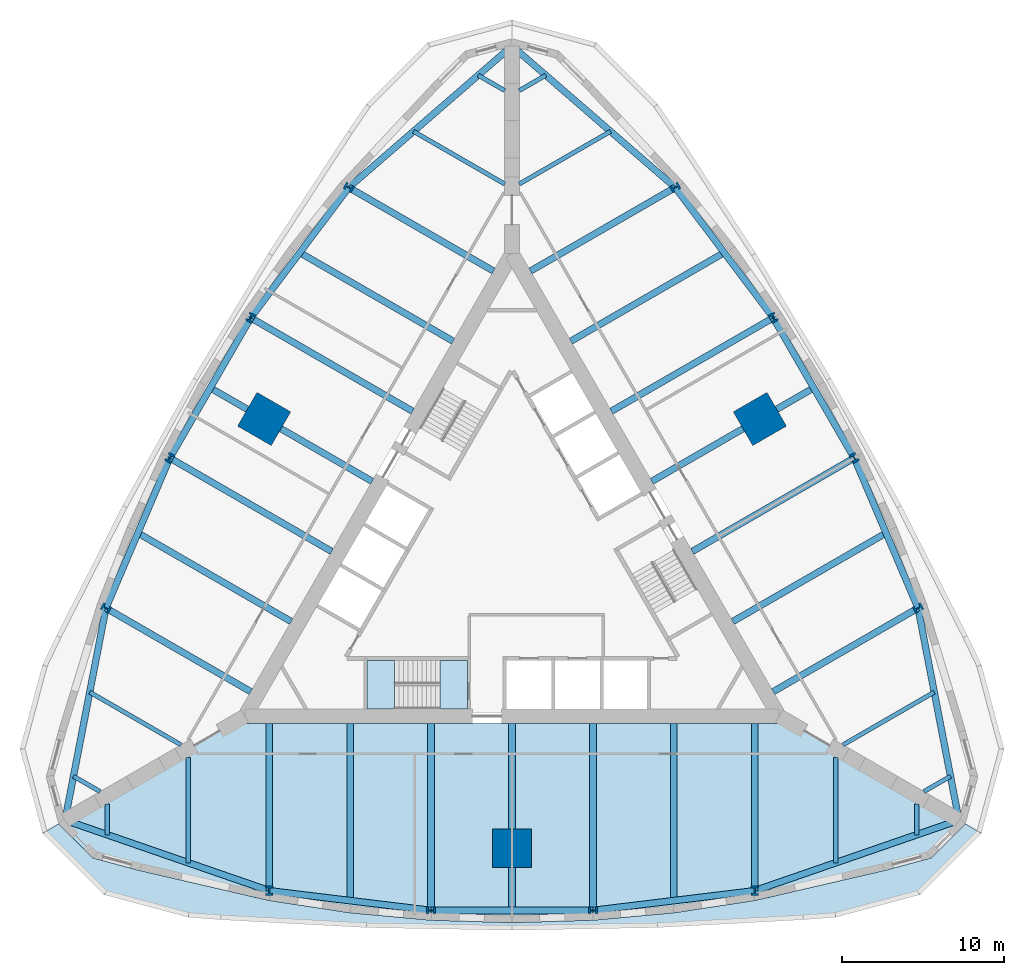
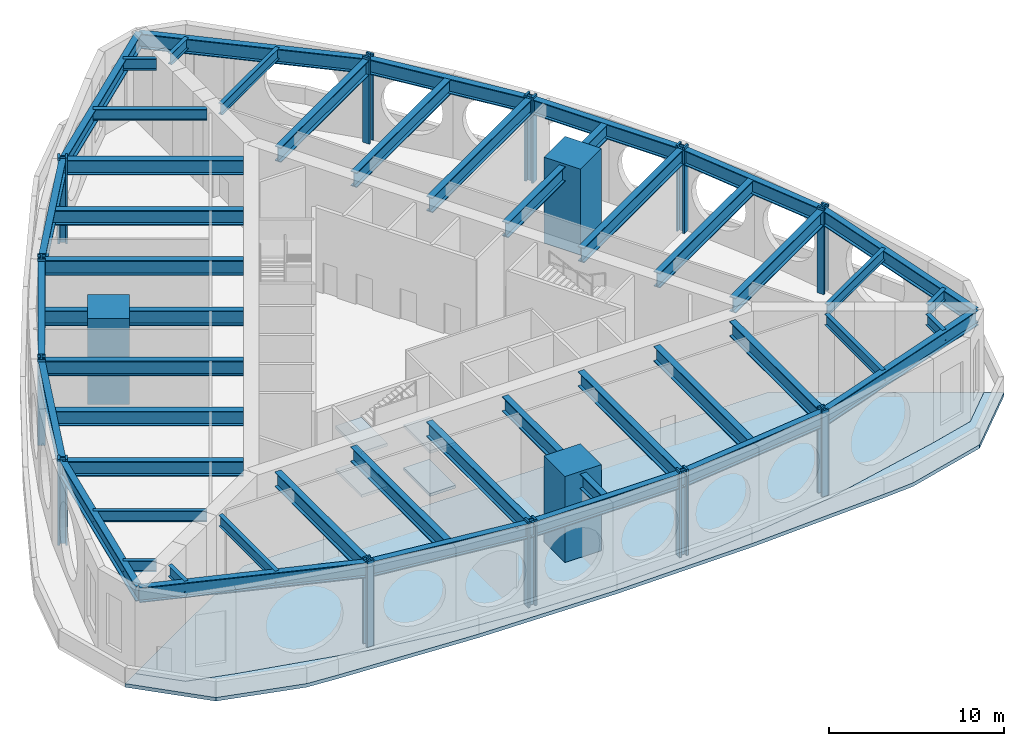
# One storey, part 1 of 8: 48 beams, 15 columns, 6 slabs, 1 element without a shape of its own.
"""IFC4 building model written with IfcOpenShell, lengths in metres."""

from ifc_helpers import new_model, si_unit, direction, frame, origin, origin_2d, place, context, subcontext, project, spatial, polyline, rectangle, i_section, outline, extrude, material, layer, layer_set, material_profile, profile_set, type_object, element, aggregate, save


model = new_model("IFC4")

# Units and contexts
model_context = context("Model", 3, precision=1e-05, world=origin(), true_north=direction((0.0, 1.0)))
body_context = subcontext(model_context, "Body", "Model", "MODEL_VIEW")
ifc_project = project(units=[si_unit("LENGTHUNIT", "METRE"), si_unit("AREAUNIT", "SQUARE_METRE"), si_unit("VOLUMEUNIT", "CUBIC_METRE"), si_unit("PLANEANGLEUNIT", "RADIAN"), si_unit("MASSUNIT", "GRAM", prefix="KILO")], contexts=[model_context])

# Site, building, storey
site_placement = place(None, origin())
site = spatial("IfcSite", under=ifc_project, at=site_placement, CompositionType="ELEMENT")
building_placement = place(site_placement, origin())
building = spatial("IfcBuilding", under=site, at=building_placement, Name="Trikona Tower", CompositionType="ELEMENT")
storey_placement = place(building_placement, frame((0.0, 0.0, 22.5)))
storey = spatial("IfcBuildingStorey", under=building, at=storey_placement, Name="L04", CompositionType="ELEMENT", Elevation=22.5)

# Columns
ifc_material_1 = material(Name="Concrete f'c 10000 psi with encased steel section", Category="concrete")
ifc_material_profile_1 = material_profile(ifc_material_1, rectangle(XDim=2.39990234375, YDim=2.39990234375, at=origin_2d()), Name="MC2400")
ifc_profile_set_1 = profile_set([ifc_material_profile_1], Name="Concrete f'c 10000 psi with encased steel section")
column_type_1 = type_object("IfcColumnType", Name="Composite mega column 2400x2400", PredefinedType="COLUMN", material=ifc_profile_set_1)
for number, where, z_axis, x_axis, name in (
    (1, (0.0, -17.680419921875, 0.0), (0.0, 0.0, 1.0), (0.0, -1.0, 0.0), "Mega column MC1"),
    (2, (15.311767578125, 8.84033203125, 0.0), (0.0, 0.0, 1.0), (0.866025403784, 0.5, 0.0), "Mega column MC2"),
    (3, (-15.311767578125, 8.84033203125, 0.0), (0.0, 0.0, 1.0), (-0.866025403784, 0.5, 0.0), "Mega column MC3"),
):
    element("IfcColumn", number, at=place(storey_placement, frame(where, z_axis=z_axis, x_axis=x_axis)), inside=storey, type_object=column_type_1, Name=name, PredefinedType="COLUMN", context=body_context, shape_type="SweptSolid", body=[
        extrude(rectangle(XDim=2.39990234375, YDim=2.39990234375, at=origin_2d()), origin(), (0.0, 0.0, 1.0), 6.0),
    ])
ifc_material_2 = material(Name="Steel ASTM A992 Grade 50", Category="steel")
ifc_material_profile_2 = material_profile(ifc_material_2, i_section(OverallWidth=0.45458984375, OverallDepth=0.56884765625, WebThickness=0.077880859375, FlangeThickness=0.124755859375, at=origin_2d()), Name="W14X730")
ifc_profile_set_2 = profile_set([ifc_material_profile_2], Name="Steel ASTM A992 Grade 50")
column_type_2 = type_object("IfcColumnType", Name="Steel column W14x730", PredefinedType="COLUMN", material=ifc_profile_set_2)
for number, where, z_axis, x_axis, name in (
    (4, (-15.0, -20.302978515625, 0.0), (0.0, 0.0, 1.0), (1.0, 0.0, 0.0), "Column F0m15"),
    (5, (-5.0, -21.5205078125, 0.0), (0.0, 0.0, 1.0), (0.0, -1.0, 0.0), "Column F0m5"),
    (6, (5.0, -21.5205078125, 0.0), (0.0, 0.0, 1.0), (0.0, -1.0, 0.0), "Column F0p5"),
    (7, (15.0, -20.302978515625, 0.0), (0.0, 0.0, 1.0), (1.0, 0.0, 0.0), "Column F0p15"),
    (8, (25.0830078125, -2.8388671875, 0.0), (0.0, 0.0, 1.0), (-0.5, 0.866025403784, 0.0), "Column F1m15"),
    (9, (21.13720703125, 6.43017578125, 0.0), (0.0, 0.0, 1.0), (0.866025403784, 0.5, 0.0), "Column F1m5"),
    (10, (16.13720703125, 15.09033203125, 0.0), (0.0, 0.0, 1.0), (0.866025403784, 0.5, 0.0), "Column F1p5"),
    (11, (10.0830078125, 23.141845703125, 0.0), (0.0, 0.0, 1.0), (-0.5, 0.866025403784, 0.0), "Column F1p15"),
    (12, (-10.0830078125, 23.141845703125, 0.0), (0.0, 0.0, 1.0), (-0.5, -0.866025403784, 0.0), "Column F2m15"),
    (13, (-16.13720703125, 15.09033203125, 0.0), (0.0, 0.0, 1.0), (-0.866025403784, 0.5, 0.0), "Column F2m5"),
    (14, (-21.13720703125, 6.43017578125, 0.0), (0.0, 0.0, 1.0), (-0.866025403784, 0.5, 0.0), "Column F2p5"),
    (15, (-25.0830078125, -2.8388671875, 0.0), (0.0, 0.0, 1.0), (-0.5, -0.866025403784, 0.0), "Column F2p15"),
):
    element("IfcColumn", number, at=place(storey_placement, frame(where, z_axis=z_axis, x_axis=x_axis)), inside=storey, type_object=column_type_2, Name=name, PredefinedType="COLUMN", context=body_context, shape_type="SweptSolid", body=[
        extrude(i_section(OverallWidth=0.45458984375, OverallDepth=0.56884765625, WebThickness=0.077880859375, FlangeThickness=0.124755859375, at=origin_2d()), origin(), (0.0, 0.0, 1.0), 6.0),
    ])

# Beams
ifc_material_3 = material(Name="Steel ASTM A992 Grade 50", Category="steel")
ifc_material_profile_3 = material_profile(ifc_material_3, i_section(OverallWidth=0.2666015625, OverallDepth=0.76953125, WebThickness=0.015625, FlangeThickness=0.025390625, at=origin_2d()), Name="W30X132")
ifc_profile_set_3 = profile_set([ifc_material_profile_3], Name="Steel ASTM A992 Grade 50")
beam_type_1 = type_object("IfcBeamType", Name="Steel beam W30x132 (wedge)", PredefinedType="BEAM", material=ifc_profile_set_3)
beam_1_placement = place(storey_placement, frame((-25.0, -14.953369140625, 5.4501953125), z_axis=(0.0, -1.0, 0.0), x_axis=(1.0, 0.0, 0.0)))
element("IfcBeam", 16, at=beam_1_placement, inside=storey, type_object=beam_type_1, Name="Floor beam L05 F1 u-25", PredefinedType="BEAM", context=body_context, shape_type="SweptSolid", body=[
    extrude(i_section(OverallWidth=0.2666015625, OverallDepth=0.76953125, WebThickness=0.015625, FlangeThickness=0.025390625, at=origin_2d()), origin(), (0.0, 0.0, 1.0), 1.890380859375),
])
for number, where, z_axis, x_axis, name in (
    (17, (-20.0, -12.066650390625, 5.4501953125), (0.0, -1.0, 0.0), (1.0, 0.0, 0.0), "Floor beam L05 F1 u-20"),
    (18, (20.0, -12.066650390625, 5.4501953125), (0.0, -1.0, 0.0), (1.0, 0.0, 0.0), "Floor beam L05 F1 u20"),
):
    element("IfcBeam", number, at=place(storey_placement, frame(where, z_axis=z_axis, x_axis=x_axis)), inside=storey, type_object=beam_type_1, Name=name, PredefinedType="BEAM", context=body_context, shape_type="SweptSolid", body=[
        extrude(i_section(OverallWidth=0.2666015625, OverallDepth=0.76953125, WebThickness=0.015625, FlangeThickness=0.025390625, at=origin_2d()), origin(), (0.0, 0.0, 1.0), 6.5068359375),
    ])
for number, where, z_axis, x_axis, name in (
    (19, (25.0, -14.953369140625, 5.4501953125), (0.0, -1.0, 0.0), (1.0, 0.0, 0.0), "Floor beam L05 F1 u25"),
    (20, (25.449951171875, -14.173828125, 5.4501953125), (0.866065156741, 0.499931139538, 0.0), (-0.499931139538, 0.866065156741, 0.0), "Floor beam L05 F2 u-25"),
):
    element("IfcBeam", number, at=place(storey_placement, frame(where, z_axis=z_axis, x_axis=x_axis)), inside=storey, type_object=beam_type_1, Name=name, PredefinedType="BEAM", context=body_context, shape_type="SweptSolid", body=[
        extrude(i_section(OverallWidth=0.2666015625, OverallDepth=0.76953125, WebThickness=0.015625, FlangeThickness=0.025390625, at=origin_2d()), origin(), (0.0, 0.0, 1.0), 1.890380859375),
    ])
for number, where, z_axis, x_axis, name in (
    (21, (20.449951171875, -11.287109375, 5.4501953125), (0.866022504693, 0.50000502134, 0.0), (-0.50000502134, 0.866022504693, 0.0), "Floor beam L05 F2 u-20"),
    (22, (0.449951171875, 23.353759765625, 5.4501953125), (0.866022504693, 0.50000502134, 0.0), (-0.50000502134, 0.866022504693, 0.0), "Floor beam L05 F2 u20"),
):
    element("IfcBeam", number, at=place(storey_placement, frame(where, z_axis=z_axis, x_axis=x_axis)), inside=storey, type_object=beam_type_1, Name=name, PredefinedType="BEAM", context=body_context, shape_type="SweptSolid", body=[
        extrude(i_section(OverallWidth=0.2666015625, OverallDepth=0.76953125, WebThickness=0.015625, FlangeThickness=0.025390625, at=origin_2d()), origin(), (0.0, 0.0, 1.0), 6.5068359375),
    ])
for number, where, z_axis, x_axis, name in (
    (23, (0.449951171875, 29.127197265625, 5.4501953125), (0.866009237431, 0.5000279999, 0.0), (-0.5000279999, 0.866009237431, 0.0), "Floor beam L05 F2 u25"),
    (24, (-0.449951171875, 29.127197265625, 5.4501953125), (-0.866009237431, 0.5000279999, 0.0), (-0.5000279999, -0.866009237431, 0.0), "Floor beam L05 F3 u-25"),
):
    element("IfcBeam", number, at=place(storey_placement, frame(where, z_axis=z_axis, x_axis=x_axis)), inside=storey, type_object=beam_type_1, Name=name, PredefinedType="BEAM", context=body_context, shape_type="SweptSolid", body=[
        extrude(i_section(OverallWidth=0.2666015625, OverallDepth=0.76953125, WebThickness=0.015625, FlangeThickness=0.025390625, at=origin_2d()), origin(), (0.0, 0.0, 1.0), 1.890625),
    ])
for number, where, z_axis, x_axis, name in (
    (25, (-0.449951171875, 23.353759765625, 5.4501953125), (-0.866022504693, 0.50000502134, 0.0), (-0.50000502134, -0.866022504693, 0.0), "Floor beam L05 F3 u-20"),
    (26, (-20.449951171875, -11.287109375, 5.4501953125), (-0.866022504693, 0.50000502134, 0.0), (-0.50000502134, -0.866022504693, 0.0), "Floor beam L05 F3 u20"),
):
    element("IfcBeam", number, at=place(storey_placement, frame(where, z_axis=z_axis, x_axis=x_axis)), inside=storey, type_object=beam_type_1, Name=name, PredefinedType="BEAM", context=body_context, shape_type="SweptSolid", body=[
        extrude(i_section(OverallWidth=0.2666015625, OverallDepth=0.76953125, WebThickness=0.015625, FlangeThickness=0.025390625, at=origin_2d()), origin(), (0.0, 0.0, 1.0), 6.5068359375),
    ])
beam_2_placement = place(storey_placement, frame((-25.449951171875, -14.173828125, 5.4501953125), z_axis=(-0.866065156741, 0.499931139538, 0.0), x_axis=(-0.499931139538, -0.866065156741, 0.0)))
element("IfcBeam", 27, at=beam_2_placement, inside=storey, type_object=beam_type_1, Name="Floor beam L05 F3 u25", PredefinedType="BEAM", context=body_context, shape_type="SweptSolid", body=[
    extrude(i_section(OverallWidth=0.2666015625, OverallDepth=0.76953125, WebThickness=0.015625, FlangeThickness=0.025390625, at=origin_2d()), origin(), (0.0, 0.0, 1.0), 1.890380859375),
])
ifc_material_4 = material(Name="Steel ASTM A992 Grade 50", Category="steel")
ifc_material_profile_4 = material_profile(ifc_material_4, i_section(OverallWidth=0.408935546875, OverallDepth=1.04150390625, WebThickness=0.031005859375, FlangeThickness=0.055908203125, at=origin_2d()), Name="W40X397")
ifc_profile_set_4 = profile_set([ifc_material_profile_4], Name="Steel ASTM A992 Grade 50")
beam_type_2 = type_object("IfcBeamType", Name="Steel beam W40x397 (plant spandrel)", PredefinedType="SPANDREL", material=ifc_profile_set_4)
beam_3_placement = place(storey_placement, frame((-27.6103515625, -15.94091796875, 5.314208984375), z_axis=(0.945056965739, -0.326905692071, 0.0), x_axis=(0.326905692071, 0.945056965739, 0.0)))
element("IfcBeam", 28, at=beam_3_placement, inside=storey, type_object=beam_type_2, Name="Spandrel beam L05 F1-1", PredefinedType="SPANDREL", context=body_context, shape_type="SweptSolid", body=[
    extrude(i_section(OverallWidth=0.408935546875, OverallDepth=1.04150390625, WebThickness=0.031005859375, FlangeThickness=0.055908203125, at=origin_2d()), origin(), (0.0, 0.0, 1.0), 13.343505859375),
])
beam_4_placement = place(storey_placement, frame((-15.0, -20.302978515625, 5.314208984375), z_axis=(0.99266951126, -0.120860421207, 0.0), x_axis=(0.120860421207, 0.99266951126, 0.0)))
element("IfcBeam", 29, at=beam_4_placement, inside=storey, type_object=beam_type_2, Name="Spandrel beam L05 F1-2", PredefinedType="SPANDREL", context=body_context, shape_type="SweptSolid", body=[
    extrude(i_section(OverallWidth=0.408935546875, OverallDepth=1.04150390625, WebThickness=0.031005859375, FlangeThickness=0.055908203125, at=origin_2d()), origin(), (0.0, 0.0, 1.0), 10.07373046875),
])
beam_5_placement = place(storey_placement, frame((-5.0, -21.5205078125, 5.314208984375), z_axis=(1.0, 0.0, 0.0), x_axis=(0.0, 1.0, 0.0)))
element("IfcBeam", 30, at=beam_5_placement, inside=storey, type_object=beam_type_2, Name="Spandrel beam L05 F1-3", PredefinedType="SPANDREL", context=body_context, shape_type="SweptSolid", body=[
    extrude(i_section(OverallWidth=0.408935546875, OverallDepth=1.04150390625, WebThickness=0.031005859375, FlangeThickness=0.055908203125, at=origin_2d()), origin(), (0.0, 0.0, 1.0), 10.0),
])
beam_6_placement = place(storey_placement, frame((5.0, -21.5205078125, 5.314208984375), z_axis=(0.99266951126, 0.120860421207, 0.0), x_axis=(-0.120860421207, 0.99266951126, 0.0)))
element("IfcBeam", 31, at=beam_6_placement, inside=storey, type_object=beam_type_2, Name="Spandrel beam L05 F1-4", PredefinedType="SPANDREL", context=body_context, shape_type="SweptSolid", body=[
    extrude(i_section(OverallWidth=0.408935546875, OverallDepth=1.04150390625, WebThickness=0.031005859375, FlangeThickness=0.055908203125, at=origin_2d()), origin(), (0.0, 0.0, 1.0), 10.07373046875),
])
for number, where, z_axis, x_axis, name in (
    (32, (15.0, -20.302978515625, 5.314208984375), (0.945056965739, 0.326905692071, 0.0), (-0.326905692071, 0.945056965739, 0.0), "Spandrel beam L05 F1-5"),
    (33, (27.6103515625, -15.94091796875, 5.314208984375), (-0.189405184036, 0.981899015307, 0.0), (-0.981899015307, -0.189405184036, 0.0), "Spandrel beam L05 F2-1"),
):
    element("IfcBeam", number, at=place(storey_placement, frame(where, z_axis=z_axis, x_axis=x_axis)), inside=storey, type_object=beam_type_2, Name=name, PredefinedType="SPANDREL", context=body_context, shape_type="SweptSolid", body=[
        extrude(i_section(OverallWidth=0.408935546875, OverallDepth=1.04150390625, WebThickness=0.031005859375, FlangeThickness=0.055908203125, at=origin_2d()), origin(), (0.0, 0.0, 1.0), 13.343505859375),
    ])
beam_7_placement = place(storey_placement, frame((25.0830078125, -2.8388671875, 5.314208984375), z_axis=(-0.391683514847, 0.920100007715, 0.0), x_axis=(-0.920100007715, -0.391683514847, 0.0)))
element("IfcBeam", 34, at=beam_7_placement, inside=storey, type_object=beam_type_2, Name="Spandrel beam L05 F2-2", PredefinedType="SPANDREL", context=body_context, shape_type="SweptSolid", body=[
    extrude(i_section(OverallWidth=0.408935546875, OverallDepth=1.04150390625, WebThickness=0.031005859375, FlangeThickness=0.055908203125, at=origin_2d()), origin(), (0.0, 0.0, 1.0), 10.073974609375),
])
beam_8_placement = place(storey_placement, frame((21.13720703125, 6.43017578125, 5.314208984375), z_axis=(-0.500004234368, 0.866022959057, 0.0), x_axis=(-0.866022959057, -0.500004234368, 0.0)))
element("IfcBeam", 35, at=beam_8_placement, inside=storey, type_object=beam_type_2, Name="Spandrel beam L05 F2-3", PredefinedType="SPANDREL", context=body_context, shape_type="SweptSolid", body=[
    extrude(i_section(OverallWidth=0.408935546875, OverallDepth=1.04150390625, WebThickness=0.031005859375, FlangeThickness=0.055908203125, at=origin_2d()), origin(), (0.0, 0.0, 1.0), 10.0),
])
beam_9_placement = place(storey_placement, frame((16.13720703125, 15.09033203125, 5.314208984375), z_axis=(-0.600988344191, 0.799257787042, 0.0), x_axis=(-0.799257787042, -0.600988344191, 0.0)))
element("IfcBeam", 36, at=beam_9_placement, inside=storey, type_object=beam_type_2, Name="Spandrel beam L05 F2-4", PredefinedType="SPANDREL", context=body_context, shape_type="SweptSolid", body=[
    extrude(i_section(OverallWidth=0.408935546875, OverallDepth=1.04150390625, WebThickness=0.031005859375, FlangeThickness=0.055908203125, at=origin_2d()), origin(), (0.0, 0.0, 1.0), 10.07373046875),
])
for number, where, z_axis, x_axis, name in (
    (37, (10.0830078125, 23.141845703125, 5.314208984375), (-0.755646822726, 0.654979296851, 0.0), (-0.654979296851, -0.755646822726, 0.0), "Spandrel beam L05 F2-5"),
    (38, (0.0, 31.881591796875, 5.314208984375), (-0.755646822726, -0.654979296851, 0.0), (0.654979296851, -0.755646822726, 0.0), "Spandrel beam L05 F3-1"),
):
    element("IfcBeam", number, at=place(storey_placement, frame(where, z_axis=z_axis, x_axis=x_axis)), inside=storey, type_object=beam_type_2, Name=name, PredefinedType="SPANDREL", context=body_context, shape_type="SweptSolid", body=[
        extrude(i_section(OverallWidth=0.408935546875, OverallDepth=1.04150390625, WebThickness=0.031005859375, FlangeThickness=0.055908203125, at=origin_2d()), origin(), (0.0, 0.0, 1.0), 13.343505859375),
    ])
beam_10_placement = place(storey_placement, frame((-10.0830078125, 23.141845703125, 5.314208984375), z_axis=(-0.600988344191, -0.799257787042, 0.0), x_axis=(0.799257787042, -0.600988344191, 0.0)))
element("IfcBeam", 39, at=beam_10_placement, inside=storey, type_object=beam_type_2, Name="Spandrel beam L05 F3-2", PredefinedType="SPANDREL", context=body_context, shape_type="SweptSolid", body=[
    extrude(i_section(OverallWidth=0.408935546875, OverallDepth=1.04150390625, WebThickness=0.031005859375, FlangeThickness=0.055908203125, at=origin_2d()), origin(), (0.0, 0.0, 1.0), 10.07373046875),
])
beam_11_placement = place(storey_placement, frame((-16.13720703125, 15.09033203125, 5.314208984375), z_axis=(-0.500004234368, -0.866022959057, 0.0), x_axis=(0.866022959057, -0.500004234368, 0.0)))
element("IfcBeam", 40, at=beam_11_placement, inside=storey, type_object=beam_type_2, Name="Spandrel beam L05 F3-3", PredefinedType="SPANDREL", context=body_context, shape_type="SweptSolid", body=[
    extrude(i_section(OverallWidth=0.408935546875, OverallDepth=1.04150390625, WebThickness=0.031005859375, FlangeThickness=0.055908203125, at=origin_2d()), origin(), (0.0, 0.0, 1.0), 10.0),
])
beam_12_placement = place(storey_placement, frame((-21.13720703125, 6.43017578125, 5.314208984375), z_axis=(-0.391683514847, -0.920100007715, 0.0), x_axis=(0.920100007715, -0.391683514847, 0.0)))
element("IfcBeam", 41, at=beam_12_placement, inside=storey, type_object=beam_type_2, Name="Spandrel beam L05 F3-4", PredefinedType="SPANDREL", context=body_context, shape_type="SweptSolid", body=[
    extrude(i_section(OverallWidth=0.408935546875, OverallDepth=1.04150390625, WebThickness=0.031005859375, FlangeThickness=0.055908203125, at=origin_2d()), origin(), (0.0, 0.0, 1.0), 10.073974609375),
])
beam_13_placement = place(storey_placement, frame((-25.0830078125, -2.8388671875, 5.314208984375), z_axis=(-0.189405184036, -0.981899015307, 0.0), x_axis=(0.981899015307, -0.189405184036, 0.0)))
element("IfcBeam", 42, at=beam_13_placement, inside=storey, type_object=beam_type_2, Name="Spandrel beam L05 F3-5", PredefinedType="SPANDREL", context=body_context, shape_type="SweptSolid", body=[
    extrude(i_section(OverallWidth=0.408935546875, OverallDepth=1.04150390625, WebThickness=0.031005859375, FlangeThickness=0.055908203125, at=origin_2d()), origin(), (0.0, 0.0, 1.0), 13.343505859375),
])
ifc_material_5 = material(Name="Steel ASTM A992 Grade 50", Category="steel")
ifc_material_profile_5 = material_profile(ifc_material_5, i_section(OverallWidth=0.408935546875, OverallDepth=1.04150390625, WebThickness=0.031005859375, FlangeThickness=0.055908203125, at=origin_2d()), Name="W40X397")
ifc_profile_set_5 = profile_set([ifc_material_profile_5], Name="Steel ASTM A992 Grade 50")
beam_type_3 = type_object("IfcBeamType", Name="Steel beam W40x397 (plant)", PredefinedType="BEAM", material=ifc_profile_set_5)
beam_14_placement = place(storey_placement, frame((-15.0, -9.976318359375, 5.314208984375), z_axis=(0.0, -1.0, 0.0), x_axis=(1.0, 0.0, 0.0)))
element("IfcBeam", 43, at=beam_14_placement, inside=storey, type_object=beam_type_3, Name="Floor beam L05 F1 u-15", PredefinedType="BEAM", context=body_context, shape_type="SweptSolid", body=[
    extrude(i_section(OverallWidth=0.408935546875, OverallDepth=1.04150390625, WebThickness=0.031005859375, FlangeThickness=0.055908203125, at=origin_2d()), origin(), (0.0, 0.0, 1.0), 10.32666015625),
])
beam_15_placement = place(storey_placement, frame((-10.0, -9.976318359375, 5.314208984375), z_axis=(0.0, -1.0, 0.0), x_axis=(1.0, 0.0, 0.0)))
element("IfcBeam", 44, at=beam_15_placement, inside=storey, type_object=beam_type_3, Name="Floor beam L05 F1 u-10", PredefinedType="BEAM", context=body_context, shape_type="SweptSolid", body=[
    extrude(i_section(OverallWidth=0.408935546875, OverallDepth=1.04150390625, WebThickness=0.031005859375, FlangeThickness=0.055908203125, at=origin_2d()), origin(), (0.0, 0.0, 1.0), 10.935302734375),
])
for number, where, z_axis, x_axis, name in (
    (45, (-5.0, -9.976318359375, 5.314208984375), (0.0, -1.0, 0.0), (1.0, 0.0, 0.0), "Floor beam L05 F1 u-5"),
    (46, (0.0, -9.976318359375, 5.314208984375), (0.0, -1.0, 0.0), (1.0, 0.0, 0.0), "Floor beam L05 F1 u0"),
    (47, (5.0, -9.976318359375, 5.314208984375), (0.0, -1.0, 0.0), (1.0, 0.0, 0.0), "Floor beam L05 F1 u5"),
):
    element("IfcBeam", number, at=place(storey_placement, frame(where, z_axis=z_axis, x_axis=x_axis)), inside=storey, type_object=beam_type_3, Name=name, PredefinedType="BEAM", context=body_context, shape_type="SweptSolid", body=[
        extrude(i_section(OverallWidth=0.408935546875, OverallDepth=1.04150390625, WebThickness=0.031005859375, FlangeThickness=0.055908203125, at=origin_2d()), origin(), (0.0, 0.0, 1.0), 11.544189453125),
    ])
beam_16_placement = place(storey_placement, frame((10.0, -9.976318359375, 5.314208984375), z_axis=(0.0, -1.0, 0.0), x_axis=(1.0, 0.0, 0.0)))
element("IfcBeam", 48, at=beam_16_placement, inside=storey, type_object=beam_type_3, Name="Floor beam L05 F1 u10", PredefinedType="BEAM", context=body_context, shape_type="SweptSolid", body=[
    extrude(i_section(OverallWidth=0.408935546875, OverallDepth=1.04150390625, WebThickness=0.031005859375, FlangeThickness=0.055908203125, at=origin_2d()), origin(), (0.0, 0.0, 1.0), 10.935302734375),
])
beam_17_placement = place(storey_placement, frame((15.0, -9.976318359375, 5.314208984375), z_axis=(0.0, -1.0, 0.0), x_axis=(1.0, 0.0, 0.0)))
element("IfcBeam", 49, at=beam_17_placement, inside=storey, type_object=beam_type_3, Name="Floor beam L05 F1 u15", PredefinedType="BEAM", context=body_context, shape_type="SweptSolid", body=[
    extrude(i_section(OverallWidth=0.408935546875, OverallDepth=1.04150390625, WebThickness=0.031005859375, FlangeThickness=0.055908203125, at=origin_2d()), origin(), (0.0, 0.0, 1.0), 10.32666015625),
])
beam_18_placement = place(storey_placement, frame((16.1396484375, -8.002197265625, 5.314208984375), z_axis=(0.866030471684, 0.499991222037, 0.0), x_axis=(-0.499991222037, 0.866030471684, 0.0)))
element("IfcBeam", 50, at=beam_18_placement, inside=storey, type_object=beam_type_3, Name="Floor beam L05 F2 u-15", PredefinedType="BEAM", context=body_context, shape_type="SweptSolid", body=[
    extrude(i_section(OverallWidth=0.408935546875, OverallDepth=1.04150390625, WebThickness=0.031005859375, FlangeThickness=0.055908203125, at=origin_2d()), origin(), (0.0, 0.0, 1.0), 10.326904296875),
])
beam_19_placement = place(storey_placement, frame((13.6396484375, -3.672119140625, 5.314208984375), z_axis=(0.866025348605, 0.500000095573, 0.0), x_axis=(-0.500000095573, 0.866025348605, 0.0)))
element("IfcBeam", 51, at=beam_19_placement, inside=storey, type_object=beam_type_3, Name="Floor beam L05 F2 u-10", PredefinedType="BEAM", context=body_context, shape_type="SweptSolid", body=[
    extrude(i_section(OverallWidth=0.408935546875, OverallDepth=1.04150390625, WebThickness=0.031005859375, FlangeThickness=0.055908203125, at=origin_2d()), origin(), (0.0, 0.0, 1.0), 10.935546875),
])
for number, where, z_axis, x_axis, name in (
    (52, (11.1396484375, 0.657958984375, 5.314208984375), (0.866020765707, 0.500008033299, 0.0), (-0.500008033299, 0.866020765707, 0.0), "Floor beam L05 F2 u-5"),
    (53, (8.6396484375, 4.988037109375, 5.314208984375), (0.866020765707, 0.500008033299, 0.0), (-0.500008033299, 0.866020765707, 0.0), "Floor beam L05 F2 u0"),
    (54, (6.1396484375, 9.318359375, 5.314208984375), (0.866029923217, 0.499992172032, 0.0), (-0.499992172032, 0.866029923217, 0.0), "Floor beam L05 F2 u5"),
):
    element("IfcBeam", number, at=place(storey_placement, frame(where, z_axis=z_axis, x_axis=x_axis)), inside=storey, type_object=beam_type_3, Name=name, PredefinedType="BEAM", context=body_context, shape_type="SweptSolid", body=[
        extrude(i_section(OverallWidth=0.408935546875, OverallDepth=1.04150390625, WebThickness=0.031005859375, FlangeThickness=0.055908203125, at=origin_2d()), origin(), (0.0, 0.0, 1.0), 11.544189453125),
    ])
beam_20_placement = place(storey_placement, frame((3.6396484375, 13.6484375, 5.314208984375), z_axis=(0.866025348605, 0.500000095573, 0.0), x_axis=(-0.500000095573, 0.866025348605, 0.0)))
element("IfcBeam", 55, at=beam_20_placement, inside=storey, type_object=beam_type_3, Name="Floor beam L05 F2 u10", PredefinedType="BEAM", context=body_context, shape_type="SweptSolid", body=[
    extrude(i_section(OverallWidth=0.408935546875, OverallDepth=1.04150390625, WebThickness=0.031005859375, FlangeThickness=0.055908203125, at=origin_2d()), origin(), (0.0, 0.0, 1.0), 10.935546875),
])
for number, where, z_axis, x_axis, name in (
    (56, (1.1396484375, 17.978515625, 5.314208984375), (0.866030471684, 0.499991222037, 0.0), (-0.499991222037, 0.866030471684, 0.0), "Floor beam L05 F2 u15"),
    (57, (-1.1396484375, 17.978515625, 5.314208984375), (-0.866030471684, 0.499991222037, 0.0), (-0.499991222037, -0.866030471684, 0.0), "Floor beam L05 F3 u-15"),
):
    element("IfcBeam", number, at=place(storey_placement, frame(where, z_axis=z_axis, x_axis=x_axis)), inside=storey, type_object=beam_type_3, Name=name, PredefinedType="BEAM", context=body_context, shape_type="SweptSolid", body=[
        extrude(i_section(OverallWidth=0.408935546875, OverallDepth=1.04150390625, WebThickness=0.031005859375, FlangeThickness=0.055908203125, at=origin_2d()), origin(), (0.0, 0.0, 1.0), 10.326904296875),
    ])
beam_21_placement = place(storey_placement, frame((-3.6396484375, 13.6484375, 5.314208984375), z_axis=(-0.866025348605, 0.500000095573, 0.0), x_axis=(-0.500000095573, -0.866025348605, 0.0)))
element("IfcBeam", 58, at=beam_21_placement, inside=storey, type_object=beam_type_3, Name="Floor beam L05 F3 u-10", PredefinedType="BEAM", context=body_context, shape_type="SweptSolid", body=[
    extrude(i_section(OverallWidth=0.408935546875, OverallDepth=1.04150390625, WebThickness=0.031005859375, FlangeThickness=0.055908203125, at=origin_2d()), origin(), (0.0, 0.0, 1.0), 10.935546875),
])
for number, where, z_axis, x_axis, name in (
    (59, (-6.1396484375, 9.318359375, 5.314208984375), (-0.866029923217, 0.499992172032, 0.0), (-0.499992172032, -0.866029923217, 0.0), "Floor beam L05 F3 u-5"),
    (60, (-8.6396484375, 4.988037109375, 5.314208984375), (-0.866020765707, 0.500008033299, 0.0), (-0.500008033299, -0.866020765707, 0.0), "Floor beam L05 F3 u0"),
    (61, (-11.1396484375, 0.657958984375, 5.314208984375), (-0.866020765707, 0.500008033299, 0.0), (-0.500008033299, -0.866020765707, 0.0), "Floor beam L05 F3 u5"),
):
    element("IfcBeam", number, at=place(storey_placement, frame(where, z_axis=z_axis, x_axis=x_axis)), inside=storey, type_object=beam_type_3, Name=name, PredefinedType="BEAM", context=body_context, shape_type="SweptSolid", body=[
        extrude(i_section(OverallWidth=0.408935546875, OverallDepth=1.04150390625, WebThickness=0.031005859375, FlangeThickness=0.055908203125, at=origin_2d()), origin(), (0.0, 0.0, 1.0), 11.544189453125),
    ])
beam_22_placement = place(storey_placement, frame((-13.6396484375, -3.672119140625, 5.314208984375), z_axis=(-0.866025348605, 0.500000095573, 0.0), x_axis=(-0.500000095573, -0.866025348605, 0.0)))
element("IfcBeam", 62, at=beam_22_placement, inside=storey, type_object=beam_type_3, Name="Floor beam L05 F3 u10", PredefinedType="BEAM", context=body_context, shape_type="SweptSolid", body=[
    extrude(i_section(OverallWidth=0.408935546875, OverallDepth=1.04150390625, WebThickness=0.031005859375, FlangeThickness=0.055908203125, at=origin_2d()), origin(), (0.0, 0.0, 1.0), 10.935546875),
])
beam_23_placement = place(storey_placement, frame((-16.1396484375, -8.002197265625, 5.314208984375), z_axis=(-0.866030471684, 0.499991222037, 0.0), x_axis=(-0.499991222037, -0.866030471684, 0.0)))
element("IfcBeam", 63, at=beam_23_placement, inside=storey, type_object=beam_type_3, Name="Floor beam L05 F3 u15", PredefinedType="BEAM", context=body_context, shape_type="SweptSolid", body=[
    extrude(i_section(OverallWidth=0.408935546875, OverallDepth=1.04150390625, WebThickness=0.031005859375, FlangeThickness=0.055908203125, at=origin_2d()), origin(), (0.0, 0.0, 1.0), 10.326904296875),
])

# Slab
ifc_material_6 = material(Name="Concrete f'c 5000 psi lightweight on composite steel deck", Category="concrete")
ifc_layer_1 = layer(ifc_material_6, 0.25)
ifc_layer_set_1 = layer_set([ifc_layer_1], Name="Composite floor slab 250")
slab_type_1 = type_object("IfcSlabType", Name="Composite floor slab 250", PredefinedType="FLOOR", material=ifc_layer_set_1)
slab_1_placement = place(storey_placement, frame((0.0, 0.0, -0.25)))
element("IfcSlab", 64, at=slab_1_placement, inside=storey, type_object=slab_type_1, Name="Floor slab L04 south", PredefinedType="FLOOR", context=body_context, shape_type="SweptSolid", body=[
    extrude(outline(polyline([(25.88671875, -18.279052734375), (28.0, -16.165771484375), (17.279296875, -9.976318359375), (-17.279296875, -9.976318359375), (-28.0, -16.165771484375), (-25.88671875, -18.279052734375), (-23.0, -19.052490234375), (-15.0, -20.903076171875), (-10.0, -21.663818359375), (-5.0, -22.120361328125), (0.0, -22.272705078125), (5.0, -22.120361328125), (10.0, -21.663818359375), (15.0, -20.903076171875), (23.0, -19.052490234375), (25.88671875, -18.279052734375)])), origin(), (0.0, 0.0, 1.0), 0.25),
])

# Stair, slabs
ifc_material_7 = material(Name="Concrete f'c 5000 psi", Category="concrete")
stair_type = type_object("IfcStairType", Name="Core stair", PredefinedType="HALF_TURN_STAIR", material=ifc_material_7)
stair_placement = place(storey_placement, origin())
stair = element("IfcStair", 65, at=stair_placement, inside=storey, type_object=stair_type, Name="Stair A L04", PredefinedType="HALF_TURN_STAIR")
ifc_material_8 = material(Name="Concrete f'c 5000 psi", Category="concrete")
ifc_layer_2 = layer(ifc_material_8, 0.199951171875)
ifc_layer_set_2 = layer_set([ifc_layer_2], Name="Stair landing 200")
slab_type_2 = type_object("IfcSlabType", Name="Stair landing 200", PredefinedType="LANDING", material=ifc_layer_set_2)
slab_2_placement = place(storey_placement, frame((0.0, 0.0, -0.199951171875)))
slab_2 = element("IfcSlab", 66, at=slab_2_placement, type_object=slab_type_2, Name="ST-A landing 1", PredefinedType="LANDING", context=body_context, shape_type="SweptSolid", body=[
    extrude(outline(polyline([(-4.452880859375, -6.076416015625), (-2.75, -6.076416015625), (-2.75, -9.076416015625), (-4.452880859375, -9.076416015625), (-4.452880859375, -6.076416015625)])), origin(), (0.0, 0.0, 1.0), 0.199951171875),
])
slab_3_placement = place(storey_placement, frame((0.0, 0.0, 1.300048828125)))
slab_3 = element("IfcSlab", 67, at=slab_3_placement, type_object=slab_type_2, Name="ST-A landing 2", PredefinedType="LANDING", context=body_context, shape_type="SweptSolid", body=[
    extrude(outline(polyline([(-8.949951171875, -6.076416015625), (-7.2470703125, -6.076416015625), (-7.2470703125, -9.076416015625), (-8.949951171875, -9.076416015625), (-8.949951171875, -6.076416015625)])), origin(), (0.0, 0.0, 1.0), 0.199951171875),
])
slab_4_placement = place(storey_placement, frame((0.0, 0.0, 2.800048828125)))
slab_4 = element("IfcSlab", 68, at=slab_4_placement, type_object=slab_type_2, Name="ST-A landing 3", PredefinedType="LANDING", context=body_context, shape_type="SweptSolid", body=[
    extrude(outline(polyline([(-4.452880859375, -6.076416015625), (-2.75, -6.076416015625), (-2.75, -9.076416015625), (-4.452880859375, -9.076416015625), (-4.452880859375, -6.076416015625)])), origin(), (0.0, 0.0, 1.0), 0.199951171875),
])
slab_5_placement = place(storey_placement, frame((0.0, 0.0, 4.300048828125)))
slab_5 = element("IfcSlab", 69, at=slab_5_placement, type_object=slab_type_2, Name="ST-A landing 4", PredefinedType="LANDING", context=body_context, shape_type="SweptSolid", body=[
    extrude(outline(polyline([(-8.949951171875, -6.076416015625), (-7.2470703125, -6.076416015625), (-7.2470703125, -9.076416015625), (-8.949951171875, -9.076416015625), (-8.949951171875, -6.076416015625)])), origin(), (0.0, 0.0, 1.0), 0.199951171875),
])
aggregate(stair, [slab_2, slab_3, slab_4, slab_5])

# Slab
ifc_material_9 = material(Name="Concrete f'c 5000 psi on composite steel deck", Category="concrete")
ifc_layer_3 = layer(ifc_material_9, 0.25)
ifc_layer_set_3 = layer_set([ifc_layer_3], Name="Terrace slab 250")
slab_type_3 = type_object("IfcSlabType", Name="Terrace slab 250", PredefinedType="ROOF", material=ifc_layer_set_3)
slab_6_placement = place(storey_placement, frame((0.0, 0.0, -0.25)))
element("IfcSlab", 70, at=slab_6_placement, inside=storey, type_object=slab_type_3, Name="Maintenance roof L04 south part 1", PredefinedType="ROOF", context=body_context, shape_type="SweptSolid", body=[
    extrude(outline(polyline([(-29.0, -16.7431640625), (-25.1962890625, -20.547119140625), (-20.0, -21.939208984375), (-18.0, -22.09130859375), (-9.0, -22.577392578125), (0.0, -22.7392578125), (9.0, -22.577392578125), (18.0, -22.09130859375), (20.0, -21.939208984375), (25.1962890625, -20.547119140625), (29.0, -16.7431640625), (28.0009765625, -16.166259765625), (25.88720703125, -18.280029296875), (23.000244140625, -19.0537109375), (15.000244140625, -20.904052734375), (10.0, -21.664794921875), (5.0, -22.121337890625), (0.0, -22.273681640625), (-5.0, -22.121337890625), (-10.0, -21.664794921875), (-15.000244140625, -20.904052734375), (-23.000244140625, -19.0537109375), (-25.88720703125, -18.280029296875), (-28.0009765625, -16.166259765625), (-29.0, -16.7431640625)])), origin(), (0.0, 0.0, 1.0), 0.25),
])

save(model, "model.ifc")
